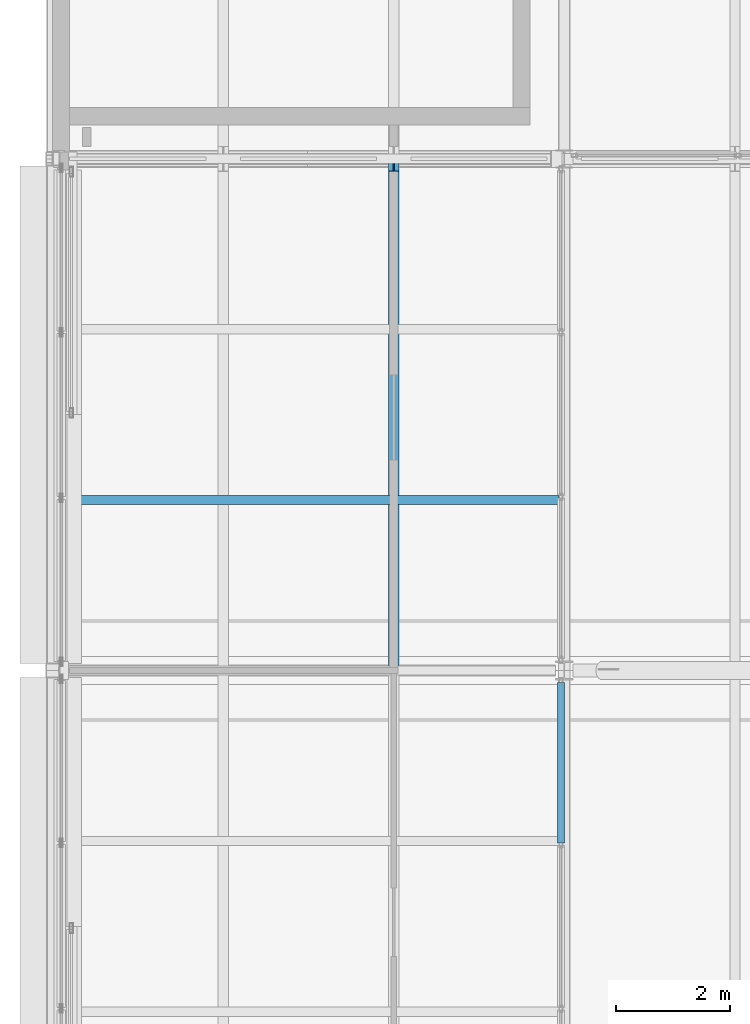
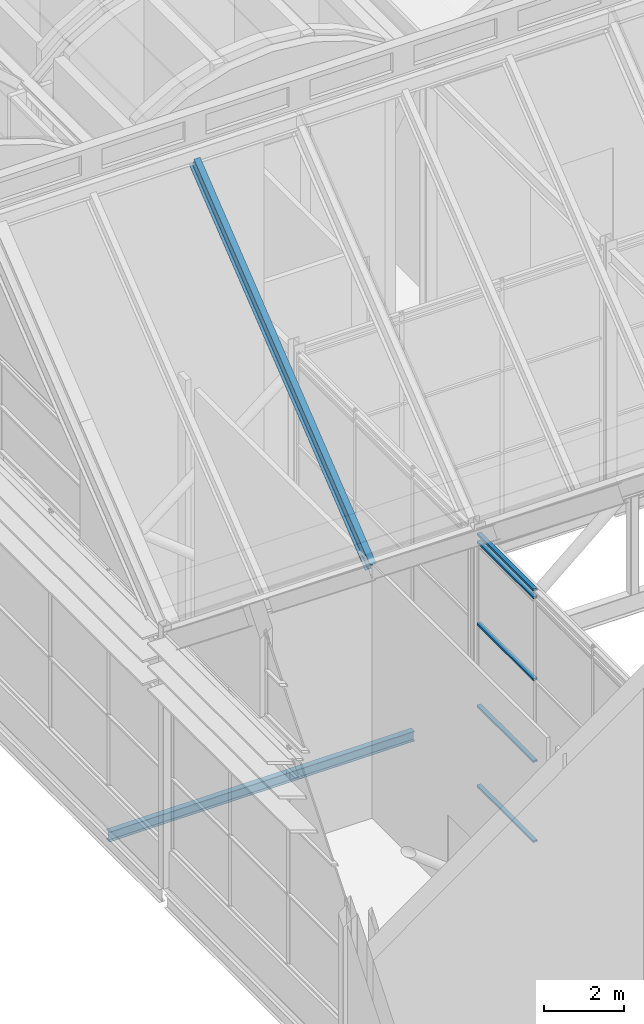
# One storey, part 36 of 144: 6 members, 1 beam, 1 element without a shape of its own.
"""IFC4 building model written with IfcOpenShell, lengths in metres."""

from ifc_helpers import new_model, si_unit, direction, frame, origin, origin_2d, place, context, subcontext, project, spatial, hollow_rectangle, i_section, extrude, material, layer, layer_set, material_profile, profile_set, type_object, element, aggregate, save


model = new_model("IFC4")

# Units and contexts
model_context = context("Model", 3, precision=1e-05, world=origin(), true_north=direction((0.0, 1.0)))
body_context = subcontext(model_context, "Body", "Model", "MODEL_VIEW")
ifc_project = project(units=[si_unit("LENGTHUNIT", "METRE"), si_unit("AREAUNIT", "SQUARE_METRE"), si_unit("VOLUMEUNIT", "CUBIC_METRE"), si_unit("PLANEANGLEUNIT", "RADIAN"), si_unit("MASSUNIT", "GRAM", prefix="KILO")], contexts=[model_context])

# Site, building, storey
site_placement = place(None, origin())
site = spatial("IfcSite", under=ifc_project, at=site_placement, CompositionType="ELEMENT")
building_placement = place(site_placement, origin())
building = spatial("IfcBuilding", under=site, at=building_placement, Name="Shorebreak Coast Museum", CompositionType="ELEMENT")
storey_placement = place(building_placement, frame((0.0, 0.0, 36.0)))
storey = spatial("IfcBuildingStorey", under=building, at=storey_placement, Name="L06", CompositionType="ELEMENT", Elevation=36.0)

# Beam
ifc_material_1 = material(Name="Steel Grade 300", Category="steel")
ifc_material_profile_1 = material_profile(ifc_material_1, i_section(OverallWidth=0.1650390625, OverallDepth=0.303955078125, WebThickness=0.006103515625, FlangeThickness=0.01025390625, FilletRadius=0.011474609375, at=origin_2d()), Name="310UB40.4")
ifc_profile_set_1 = profile_set([ifc_material_profile_1], Name="Steel Grade 300")
beam_type = type_object("IfcBeamType", Name="Floor joist 310UB40.4", PredefinedType="JOIST", material=ifc_profile_set_1)
beam_placement = place(storey_placement, frame((54.089111328125, 75.0, -0.326904296875), z_axis=(1.0, 0.0, 0.0), x_axis=(0.0, 1.0, 0.0)))
element("IfcBeam", 1, at=beam_placement, inside=storey, type_object=beam_type, Name="Floor joist L06 bay 7J at 3000 mm", PredefinedType="JOIST", context=body_context, shape_type="SweptSolid", body=[
    extrude(i_section(OverallWidth=0.1650390625, OverallDepth=0.303955078125, WebThickness=0.006103515625, FlangeThickness=0.01025390625, FilletRadius=0.011474609375, at=origin_2d()), origin(), (0.0, 0.0, 1.0), 8.8154296875),
])

# Member
ifc_material_2 = material(Name="Steel Grade 300", Category="steel")
ifc_material_profile_2 = material_profile(ifc_material_2, i_section(OverallWidth=0.177978515625, OverallDepth=0.402587890625, WebThickness=0.007568359375, FlangeThickness=0.010986328125, FilletRadius=0.011474609375, at=origin_2d()), Name="410UB53.7")
ifc_profile_set_2 = profile_set([ifc_material_profile_2], Name="Steel Grade 300")
member_type_1 = type_object("IfcMemberType", Name="Fold rafter 410UB53.7", PredefinedType="RAFTER", material=ifc_profile_set_2)
member_1_placement = place(storey_placement, frame((60.0, 80.905029296875, 14.610107421875), z_axis=(0.0, -0.780866698312, -0.624697686459), x_axis=(1.0, 0.0, 0.0)))
element("IfcMember", 2, at=member_1_placement, inside=storey, type_object=member_type_1, Name="Fold rafter FOLD-X line 3 03", PredefinedType="RAFTER", context=body_context, shape_type="SweptSolid", body=[
    extrude(i_section(OverallWidth=0.177978515625, OverallDepth=0.402587890625, WebThickness=0.007568359375, FlangeThickness=0.010986328125, FilletRadius=0.011474609375, at=origin_2d()), origin(), (0.0, 0.0, 1.0), 11.282470703125),
])

# Curtain wall, members
ifc_material_3 = material(Name="Aluminium", Category="aluminium")
ifc_layer = layer(ifc_material_3, 0.1201171875)
ifc_layer_set = layer_set([ifc_layer], Name="Aluminium")
curtain_wall_type = type_object("IfcCurtainWallType", Name="Atrium fire screen", PredefinedType="NOTDEFINED", material=ifc_layer_set)
curtain_wall_placement = place(storey_placement, origin())
curtain_wall = element("IfcCurtainWall", 3, at=curtain_wall_placement, inside=storey, type_object=curtain_wall_type, Name="Atrium screen L06 W 89", PredefinedType="NOTDEFINED")
ifc_material_4 = material(Name="Aluminium", Category="aluminium")
ifc_material_profile_3 = material_profile(ifc_material_4, hollow_rectangle(XDim=0.1201171875, YDim=0.06005859375, WallThickness=0.00341796875, at=origin_2d()), Name="AL 60x120 RHS")
ifc_profile_set_3 = profile_set([ifc_material_profile_3], Name="Aluminium")
member_type_2 = type_object("IfcMemberType", Name="Screen transom 120 x 50", PredefinedType="USERDEFINED", material=ifc_profile_set_3)
member_2_placement = place(storey_placement, frame((62.93994140625, 68.96826171875, 0.06005859375), z_axis=(0.0, 1.0, 0.0), x_axis=(-1.0, 0.0, 0.0)))
member_2 = element("IfcMember", 4, at=member_2_placement, type_object=member_type_2, Name="CW6 transom 3.1", ObjectType="TRANSOM", PredefinedType="USERDEFINED", context=body_context, shape_type="SweptSolid", body=[
    extrude(hollow_rectangle(XDim=0.1201171875, YDim=0.06005859375, WallThickness=0.00341796875, at=origin_2d()), origin(), (0.0, 0.0, 1.0), 2.818115234375),
])
member_3_placement = place(storey_placement, frame((62.93994140625, 68.96826171875, 2.5), z_axis=(0.0, 1.0, 0.0), x_axis=(-1.0, 0.0, 0.0)))
member_3 = element("IfcMember", 5, at=member_3_placement, type_object=member_type_2, Name="CW6 transom 3.2", ObjectType="TRANSOM", PredefinedType="USERDEFINED", context=body_context, shape_type="SweptSolid", body=[
    extrude(hollow_rectangle(XDim=0.1201171875, YDim=0.06005859375, WallThickness=0.00341796875, at=origin_2d()), origin(), (0.0, 0.0, 1.0), 2.818115234375),
])
member_4_placement = place(storey_placement, frame((62.93994140625, 68.96826171875, 5.0), z_axis=(0.0, 1.0, 0.0), x_axis=(-1.0, 0.0, 0.0)))
member_4 = element("IfcMember", 6, at=member_4_placement, type_object=member_type_2, Name="CW6 transom 3.3", ObjectType="TRANSOM", PredefinedType="USERDEFINED", context=body_context, shape_type="SweptSolid", body=[
    extrude(hollow_rectangle(XDim=0.1201171875, YDim=0.06005859375, WallThickness=0.00341796875, at=origin_2d()), origin(), (0.0, 0.0, 1.0), 2.818115234375),
])
member_5_placement = place(storey_placement, frame((62.93994140625, 68.96826171875, 7.5), z_axis=(0.0, 1.0, 0.0), x_axis=(-1.0, 0.0, 0.0)))
member_5 = element("IfcMember", 7, at=member_5_placement, type_object=member_type_2, Name="CW6 transom 3.4", ObjectType="TRANSOM", PredefinedType="USERDEFINED", context=body_context, shape_type="SweptSolid", body=[
    extrude(hollow_rectangle(XDim=0.1201171875, YDim=0.06005859375, WallThickness=0.00341796875, at=origin_2d()), origin(), (0.0, 0.0, 1.0), 2.818115234375),
])
member_6_placement = place(storey_placement, frame((62.93994140625, 68.96826171875, 7.739990234375), z_axis=(0.0, 1.0, 0.0), x_axis=(-1.0, 0.0, 0.0)))
member_6 = element("IfcMember", 8, at=member_6_placement, type_object=member_type_2, Name="CW6 transom 3.5", ObjectType="TRANSOM", PredefinedType="USERDEFINED", context=body_context, shape_type="SweptSolid", body=[
    extrude(hollow_rectangle(XDim=0.1201171875, YDim=0.06005859375, WallThickness=0.00341796875, at=origin_2d()), origin(), (0.0, 0.0, 1.0), 2.818115234375),
])
aggregate(curtain_wall, [member_2, member_3, member_4, member_5, member_6])

save(model, "model.ifc")
